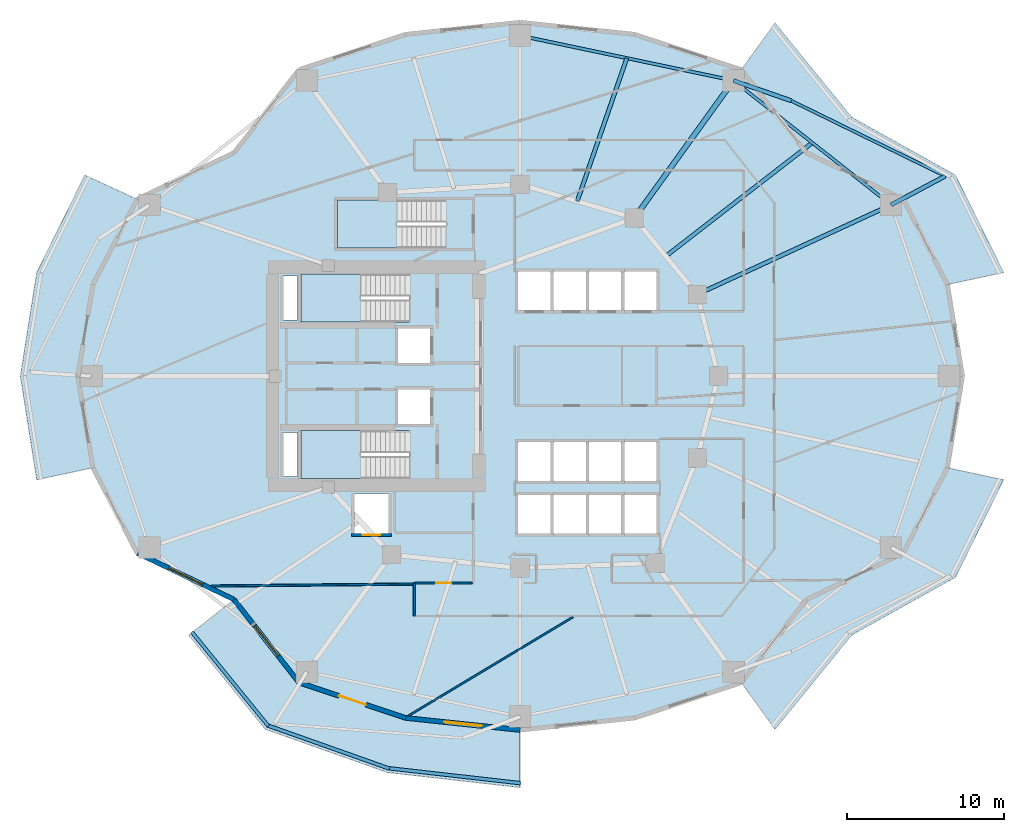
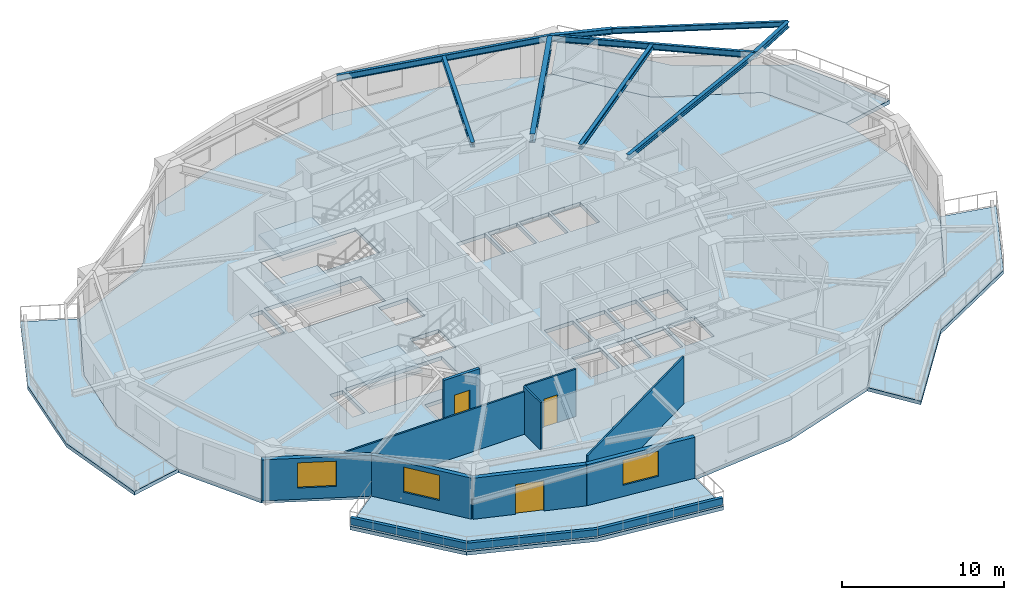
# One storey, part 2 of 14: 12 walls, 9 beams, 8 slabs, 3 doors, 3 windows, 6 openings, 3 elements without a shape of their own.
"""IFC4 building model written with IfcOpenShell, lengths in metres."""

import ifcopenshell
import ifcopenshell.guid

model = None  # the IFC model being written
_history = None  # IfcOwnerHistory: only IFC2X3 demands one
_inside = {}  # id of a spatial element -> (the spatial element, [elements in it])
_under = {}  # id of a project, library or spatial element -> (it, [spatial elements below it])
_declared = {}  # id of a project -> (the project, [libraries it declares])
_typed = {}  # id of a type object -> (the type object, [elements of that type])
_made_of = {}  # id of a material, layer set ... -> (it, [elements and type objects made of it])


def new_model(schema):
    """Start an empty IFC model of exactly this schema.

    Asked for "IFC4X3", IfcOpenShell would pick the latest addendum, in which some entities
    have other attributes; the version numbers below select the first issue.
    IFC2X3 requires an IfcOwnerHistory on every rooted entity: one is made here for all.
    """
    global model, _history
    if schema == "IFC4X3":
        model = ifcopenshell.file(schema_version=(4, 3, 0, 0))
    else:
        model = ifcopenshell.file(schema=schema)
    _inside.clear()
    _under.clear()
    _declared.clear()
    _typed.clear()
    _made_of.clear()
    _history = None
    if model.schema == "IFC2X3":
        org = make("IfcOrganization", Name="unknown")
        user = make(
            "IfcPersonAndOrganization",
            ThePerson=make("IfcPerson", FamilyName="unknown"),
            TheOrganization=org,
        )
        app = make(
            "IfcApplication",
            ApplicationDeveloper=org,
            Version="unknown",
            ApplicationFullName="unknown",
            ApplicationIdentifier="unknown",
        )
        _history = make(
            "IfcOwnerHistory",
            OwningUser=user,
            OwningApplication=app,
            ChangeAction="ADDED",
            CreationDate=0,
        )
    return model


def make(cls, **values):
    """One entity of the class cls with the attributes given. An attribute that is None is left unset."""
    return model.create_entity(
        cls, **{name: value for name, value in values.items() if value is not None}
    )


def rooted(cls, **values):
    """An entity with a GlobalId (a new one), such as an element, a storey or a relation."""
    return make(cls, GlobalId=ifcopenshell.guid.new(), OwnerHistory=_history, **values)


def si_unit(unit_type, name, prefix=None):
    """IfcSIUnit, for example si_unit("LENGTHUNIT", "METRE", prefix="MILLI")."""
    return make("IfcSIUnit", UnitType=unit_type, Prefix=prefix, Name=name)


def assignment(units):
    """IfcUnitAssignment: the units of a project."""
    return None if units is None else make("IfcUnitAssignment", Units=units)


def point(xyz):
    """IfcCartesianPoint."""
    return None if xyz is None else make("IfcCartesianPoint", Coordinates=xyz)


def direction(xyz):
    """IfcDirection."""
    return None if xyz is None else make("IfcDirection", DirectionRatios=xyz)


def frame(location, z_axis=None, x_axis=None):
    """IfcAxis2Placement3D, a coordinate frame: its origin and axes. An axis left out is left unset."""
    return make(
        "IfcAxis2Placement3D",
        Location=point(location),
        Axis=direction(z_axis),
        RefDirection=direction(x_axis),
    )


def frame_2d(location, x_axis=None):
    """IfcAxis2Placement2D, a coordinate frame in the plane: its origin and x axis."""
    return make(
        "IfcAxis2Placement2D", Location=point(location), RefDirection=direction(x_axis)
    )


def origin():
    """The frame at (0, 0, 0) with its axes left unset."""
    return frame((0.0, 0.0, 0.0))


def origin_2d():
    """The frame at (0, 0) in the plane with its x axis left unset."""
    return frame_2d((0.0, 0.0))


def place(relative_to, where):
    """IfcLocalPlacement: puts the frame where relative to a parent placement (None: the world)."""
    return make(
        "IfcLocalPlacement", PlacementRelTo=relative_to, RelativePlacement=where
    )


def context(
    kind, dimensions, precision=None, world=None, true_north=None, identifier=None
):
    """IfcGeometricRepresentationContext, for example the 3D "Model" context."""
    return make(
        "IfcGeometricRepresentationContext",
        ContextIdentifier=identifier,
        ContextType=kind,
        CoordinateSpaceDimension=dimensions,
        Precision=precision,
        WorldCoordinateSystem=world,
        TrueNorth=true_north,
    )


def subcontext(parent, identifier, kind, view, scale=None):
    """IfcGeometricRepresentationSubContext, for example "Body" below "Model"."""
    return make(
        "IfcGeometricRepresentationSubContext",
        ContextIdentifier=identifier,
        ContextType=kind,
        ParentContext=parent,
        TargetScale=scale,
        TargetView=view,
    )


def project(units=None, contexts=None):
    """IfcProject with its units and contexts."""
    return rooted(
        "IfcProject",
        Name="project",
        RepresentationContexts=contexts,
        UnitsInContext=assignment(units),
    )


def spatial(cls, under=None, at=None, **own):
    """A site, building, storey or space (cls), placed at a placement, below another one or the project."""
    s = rooted(cls, ObjectPlacement=at, **own)
    if under is not None:
        _under.setdefault(under.id(), (under, []))[1].append(s)
    return s


def polyline(points):
    """IfcPolyline through the points."""
    return make("IfcPolyline", Points=[point(p) for p in points])


def profile(cls, at=None, kind="AREA", **sizes):
    """A parametric profile (cls). Its sizes go by their IFC names, for example OverallWidth=200.0."""
    return make(cls, ProfileType=kind, Position=at, **sizes)


def rectangle(**sizes):
    """IfcRectangleProfileDef."""
    return profile("IfcRectangleProfileDef", **sizes)


def i_section(**sizes):
    """IfcIShapeProfileDef."""
    return profile("IfcIShapeProfileDef", **sizes)


def outline(outer, holes=None, kind="AREA"):
    """IfcArbitraryClosedProfileDef: a profile drawn as a closed curve; with holes, ...WithVoids."""
    if holes is None:
        return make("IfcArbitraryClosedProfileDef", ProfileType=kind, OuterCurve=outer)
    return make(
        "IfcArbitraryProfileDefWithVoids",
        ProfileType=kind,
        OuterCurve=outer,
        InnerCurves=holes,
    )


def extrude(swept, where, along, depth):
    """IfcExtrudedAreaSolid: the profile swept, set in the frame where, extruded along a direction by depth."""
    return make(
        "IfcExtrudedAreaSolid",
        SweptArea=swept,
        Position=where,
        ExtrudedDirection=direction(along),
        Depth=depth,
    )


def shape(context_of_items, identifier, shape_type, items):
    """IfcShapeRepresentation: the items that make up one representation, for example the "Body"."""
    return make(
        "IfcShapeRepresentation",
        ContextOfItems=context_of_items,
        RepresentationIdentifier=identifier,
        RepresentationType=shape_type,
        Items=items,
    )


def material(Name=None, Category=None):
    """IfcMaterial."""
    return make("IfcMaterial", Name=Name, Category=Category)


def layer(
    of_material, thickness, ventilated=None, Name=None, Category=None, Priority=None
):
    """IfcMaterialLayer: one layer of a wall or slab, of a material (None: an air gap)."""
    return make(
        "IfcMaterialLayer",
        Material=of_material,
        LayerThickness=thickness,
        IsVentilated=ventilated,
        Name=Name,
        Category=Category,
        Priority=Priority,
    )


def layer_set(layers, Name=None):
    """IfcMaterialLayerSet."""
    return make("IfcMaterialLayerSet", MaterialLayers=layers, LayerSetName=Name)


def material_profile(
    of_material, cross_section, Name=None, Category=None, Priority=None
):
    """IfcMaterialProfile: a cross section and its material."""
    return make(
        "IfcMaterialProfile",
        Name=Name,
        Material=of_material,
        Profile=cross_section,
        Priority=Priority,
        Category=Category,
    )


def profile_set(profiles, Name=None, composite=None):
    """IfcMaterialProfileSet."""
    return make(
        "IfcMaterialProfileSet",
        Name=Name,
        MaterialProfiles=profiles,
        CompositeProfile=composite,
    )


def made_of(thing, what):
    """Note that an element or type object is made of a material, layer set ...; save() writes the relation."""
    if what is not None:
        _made_of.setdefault(what.id(), (what, []))[1].append(thing)
    return thing


def type_object(cls, material=None, **own):
    """A type object (cls), such as IfcWallType, which elements share."""
    return made_of(rooted(cls, **own), material)


def element(
    cls,
    number,
    at=None,
    inside=None,
    cuts=None,
    type_object=None,
    material=None,
    context=None,
    identifier="Body",
    shape_type=None,
    held_by="IfcProductDefinitionShape",
    body=None,
    shapes=None,
    **own,
):
    """One element of the class cls, such as IfcWall. Its Tag is "e" and its number.

    at: its placement. inside: the storey or other place that contains it. cuts: it is an
    opening in that element (IfcRelVoidsElement). A single representation is given by context,
    identifier, shape_type and body (its items); several are given by shapes. held_by: the class
    of the entity that holds the representations. save() writes the other relations.
    """
    e = rooted(cls, Tag="e%d" % number, ObjectPlacement=at, **own)
    if body is not None:
        shapes = [shape(context, identifier, shape_type, body)]
    if shapes is not None:
        e.Representation = make(held_by, Representations=shapes)
    if inside is not None:
        _inside.setdefault(inside.id(), (inside, []))[1].append(e)
    if cuts is not None:
        rooted(
            "IfcRelVoidsElement", RelatingBuildingElement=cuts, RelatedOpeningElement=e
        )
    if type_object is not None:
        _typed.setdefault(type_object.id(), (type_object, []))[1].append(e)
    return made_of(e, material)


def fill(opening, filler):
    """IfcRelFillsElement: the door or window that sits in an opening."""
    return rooted(
        "IfcRelFillsElement",
        RelatingOpeningElement=opening,
        RelatedBuildingElement=filler,
    )


def aggregate(whole, parts):
    """IfcRelAggregates: a whole, such as a stair, and the parts it consists of."""
    return rooted("IfcRelAggregates", RelatingObject=whole, RelatedObjects=parts)


def save(model, path):
    """Write the relations noted so far, then the file.

    IfcRelAggregates (storeys below a building ...), IfcRelContainedInSpatialStructure (elements
    in a storey), IfcRelDefinesByType, IfcRelAssociatesMaterial and IfcRelDeclares: one each for
    every whole, place, type object, material and project.
    """
    for whole, parts in _under.values():
        aggregate(whole, parts)
    for where, things in _inside.values():
        rooted(
            "IfcRelContainedInSpatialStructure",
            RelatedElements=things,
            RelatingStructure=where,
        )
    for kind, things in _typed.values():
        rooted("IfcRelDefinesByType", RelatedObjects=things, RelatingType=kind)
    for what, things in _made_of.values():
        rooted("IfcRelAssociatesMaterial", RelatedObjects=things, RelatingMaterial=what)
    for by, libraries in _declared.values():
        rooted("IfcRelDeclares", RelatingContext=by, RelatedDefinitions=libraries)
    model.write(path)


model = new_model("IFC4")

# Units and contexts
model_context = context("Model", 3, precision=1e-05, world=origin(), true_north=direction((0.0, 1.0)))
body_context = subcontext(model_context, "Body", "Model", "MODEL_VIEW")
ifc_project = project(units=[si_unit("LENGTHUNIT", "METRE"), si_unit("AREAUNIT", "SQUARE_METRE"), si_unit("VOLUMEUNIT", "CUBIC_METRE"), si_unit("PLANEANGLEUNIT", "RADIAN"), si_unit("MASSUNIT", "GRAM", prefix="KILO")], contexts=[model_context])

# Site, building, storey
site_placement = place(None, origin())
site = spatial("IfcSite", under=ifc_project, at=site_placement, CompositionType="ELEMENT")
building_placement = place(site_placement, origin())
building = spatial("IfcBuilding", under=site, at=building_placement, Name="Kolvaren Gate Tower and Convention Centre", CompositionType="ELEMENT")
storey_placement = place(building_placement, frame((0.0, 0.0, 41.89990234375)))
storey = spatial("IfcBuildingStorey", under=building, at=storey_placement, Name="L09", CompositionType="ELEMENT", Elevation=41.89990234375)

# Beams
ifc_material_1 = material(Name="Structural steel ASTM A992 Grade 345 MPa", Category="steel")
ifc_material_profile_1 = material_profile(ifc_material_1, i_section(OverallWidth=0.260009765625, OverallDepth=0.419921875, WebThickness=0.013427734375, FlangeThickness=0.0224609375, at=origin_2d()), Name="W410X132")
ifc_profile_set_1 = profile_set([ifc_material_profile_1], Name="Structural steel ASTM A992 Grade 345 MPa")
beam_type_1 = type_object("IfcBeamType", Name="STR-BM-W410X132", PredefinedType="BEAM", material=ifc_profile_set_1)
beam_1_placement = place(storey_placement, frame((53.710205078125, 37.8935546875, 3.360595703125), z_axis=(0.882875702385, 0.469606744136, 0.0), x_axis=(-0.469606744136, 0.882875702385, 0.0)))
element("IfcBeam", 1, at=beam_1_placement, inside=storey, type_object=beam_type_1, Name="Tower L10 Planted Balcony Outrigger Cantilever BC-1A", PredefinedType="BEAM", context=body_context, shape_type="SweptSolid", body=[
    extrude(i_section(OverallWidth=0.260009765625, OverallDepth=0.419921875, WebThickness=0.013427734375, FlangeThickness=0.0224609375, at=origin_2d()), origin(), (0.0, 0.0, 1.0), 3.900146484375),
])
beam_2_placement = place(storey_placement, frame((43.690185546875, 45.79638671875, 3.360595703125), z_axis=(0.943988090262, -0.329979522765, 0.0), x_axis=(0.329979522765, 0.943988090262, 0.0)))
element("IfcBeam", 2, at=beam_2_placement, inside=storey, type_object=beam_type_1, Name="Tower L10 Planted Balcony Outrigger Cantilever BC-1B", PredefinedType="BEAM", context=body_context, shape_type="SweptSolid", body=[
    extrude(i_section(OverallWidth=0.260009765625, OverallDepth=0.419921875, WebThickness=0.013427734375, FlangeThickness=0.0224609375, at=origin_2d()), origin(), (0.0, 0.0, 1.0), 3.89990234375),
])
ifc_material_profile_2 = material_profile(ifc_material_1, i_section(OverallWidth=0.327880859375, OverallDepth=0.6279296875, WebThickness=0.0166015625, FlangeThickness=0.027587890625, at=origin_2d()), Name="W610X217")
ifc_profile_set_2 = profile_set([ifc_material_profile_2], Name="Structural steel ASTM A992 Grade 345 MPa")
beam_type_2 = type_object("IfcBeamType", Name="STR-BM-W610X217", PredefinedType="BEAM", material=ifc_profile_set_2)
beam_3_placement = place(storey_placement, frame((37.381591796875, 37.054931640625, 3.256103515625), z_axis=(0.585205244783, 0.81088520857, 0.0), x_axis=(-0.81088520857, 0.585205244783, 0.0)))
element("IfcBeam", 3, at=beam_3_placement, inside=storey, type_object=beam_type_2, Name="Tower L09 Radial Floor Girder RB-03", PredefinedType="BEAM", context=body_context, shape_type="SweptSolid", body=[
    extrude(i_section(OverallWidth=0.327880859375, OverallDepth=0.6279296875, WebThickness=0.0166015625, FlangeThickness=0.027587890625, at=origin_2d()), origin(), (0.0, 0.0, 1.0), 10.780029296875),
])
ifc_material_profile_3 = material_profile(ifc_material_1, i_section(OverallWidth=0.2548828125, OverallDepth=0.35693359375, WebThickness=0.010498046875, FlangeThickness=0.018310546875, at=origin_2d()), Name="W360X101")
ifc_profile_set_3 = profile_set([ifc_material_profile_3], Name="Structural steel ASTM A992 Grade 345 MPa")
beam_type_3 = type_object("IfcBeamType", Name="STR-JS-W360X101", PredefinedType="JOIST", material=ifc_profile_set_3)
beam_4_placement = place(storey_placement, frame((41.382080078125, 32.199462890625, 3.3916015625), z_axis=(0.907842006347, 0.419312403241, 0.0), x_axis=(-0.419312403241, 0.907842006347, 0.0)))
element("IfcBeam", 4, at=beam_4_placement, inside=storey, type_object=beam_type_3, Name="Tower L09 Radial Floor Girder RB-02", PredefinedType="JOIST", context=body_context, shape_type="SweptSolid", body=[
    extrude(i_section(OverallWidth=0.2548828125, OverallDepth=0.35693359375, WebThickness=0.010498046875, FlangeThickness=0.018310546875, at=origin_2d()), origin(), (0.0, 0.0, 1.0), 13.57958984375),
])
beam_5_placement = place(storey_placement, frame((39.3818359375, 34.627197265625, 3.3916015625), z_axis=(0.790577493994, 0.612362005671, 0.0), x_axis=(-0.612362005671, 0.790577493994, 0.0)))
element("IfcBeam", 5, at=beam_5_placement, inside=storey, type_object=beam_type_3, Name="Tower L09 Secondary Composite Floor Joist J-02.1", PredefinedType="JOIST", context=body_context, shape_type="SweptSolid", body=[
    extrude(i_section(OverallWidth=0.2548828125, OverallDepth=0.35693359375, WebThickness=0.010498046875, FlangeThickness=0.018310546875, at=origin_2d()), origin(), (0.0, 0.0, 1.0), 11.786865234375),
])
beam_6_placement = place(storey_placement, frame((33.75341796875, 38.12744140625, 3.3916015625), z_axis=(0.327647050942, 0.944800195813, 0.0), x_axis=(-0.944800195813, 0.327647050942, 0.0)))
element("IfcBeam", 6, at=beam_6_placement, inside=storey, type_object=beam_type_3, Name="Tower L09 Secondary Composite Floor Joist J-03.1", PredefinedType="JOIST", context=body_context, shape_type="SweptSolid", body=[
    extrude(i_section(OverallWidth=0.2548828125, OverallDepth=0.35693359375, WebThickness=0.010498046875, FlangeThickness=0.018310546875, at=origin_2d()), origin(), (0.0, 0.0, 1.0), 9.627197265625),
])
ifc_material_profile_4 = material_profile(ifc_material_1, i_section(OverallWidth=0.180908203125, OverallDepth=0.4169921875, WebThickness=0.010986328125, FlangeThickness=0.018310546875, at=origin_2d()), Name="W410X85")
ifc_profile_set_4 = profile_set([ifc_material_profile_4], Name="Structural steel ASTM A992 Grade 345 MPa")
beam_type_4 = type_object("IfcBeamType", Name="STR-SP-W410X85", PredefinedType="SPANDREL", material=ifc_profile_set_4)
beam_7_placement = place(storey_placement, frame((57.153564453125, 39.72509765625, 3.362060546875), z_axis=(-0.898307480686, 0.43936735216, 0.0), x_axis=(-0.43936735216, -0.898307480686, 0.0)))
element("IfcBeam", 7, at=beam_7_placement, inside=storey, type_object=beam_type_4, Name="Tower L10 Planted Balcony Header Tie Beam BT-1", PredefinedType="SPANDREL", context=body_context, shape_type="SweptSolid", body=[
    extrude(i_section(OverallWidth=0.180908203125, OverallDepth=0.4169921875, WebThickness=0.010986328125, FlangeThickness=0.018310546875, at=origin_2d()), origin(), (0.0, 0.0, 1.0), 10.889404296875),
])
ifc_material_profile_5 = material_profile(ifc_material_1, i_section(OverallWidth=0.194091796875, OverallDepth=0.468994140625, WebThickness=0.0126953125, FlangeThickness=0.0205078125, at=origin_2d()), Name="W460X106")
ifc_profile_set_5 = profile_set([ifc_material_profile_5], Name="Structural steel ASTM A992 Grade 345 MPa")
beam_type_5 = type_object("IfcBeamType", Name="STR-SP-W460X106", PredefinedType="SPANDREL", material=ifc_profile_set_5)
beam_8_placement = place(storey_placement, frame((53.710205078125, 37.8935546875, 3.335693359375), z_axis=(-0.785176498861, 0.619272044933, 0.0), x_axis=(-0.619272044933, -0.785176498861, 0.0)))
element("IfcBeam", 8, at=beam_8_placement, inside=storey, type_object=beam_type_5, Name="Tower L09 Perimeter Spandrel Beam SP-02", PredefinedType="SPANDREL", context=body_context, shape_type="SweptSolid", body=[
    extrude(i_section(OverallWidth=0.194091796875, OverallDepth=0.468994140625, WebThickness=0.0126953125, FlangeThickness=0.0205078125, at=origin_2d()), origin(), (0.0, 0.0, 1.0), 12.761474609375),
])
beam_9_placement = place(storey_placement, frame((43.690185546875, 45.79638671875, 3.335693359375), z_axis=(-0.978583407863, 0.205850707685, 0.0), x_axis=(-0.205850707685, -0.978583407863, 0.0)))
element("IfcBeam", 9, at=beam_9_placement, inside=storey, type_object=beam_type_5, Name="Tower L09 Perimeter Spandrel Beam SP-03", PredefinedType="SPANDREL", context=body_context, shape_type="SweptSolid", body=[
    extrude(i_section(OverallWidth=0.194091796875, OverallDepth=0.468994140625, WebThickness=0.0126953125, FlangeThickness=0.0205078125, at=origin_2d()), origin(), (0.0, 0.0, 1.0), 13.862060546875),
])

# Slabs
ifc_material_2 = material(Name="Concrete C50/60", Category="concrete")
ifc_layer_1 = layer(ifc_material_2, 0.27001953125)
ifc_layer_set_1 = layer_set([ifc_layer_1], Name="Concrete C50/60")
slab_type_1 = type_object("IfcSlabType", Name="STR-SL-BALC-270", PredefinedType="FLOOR", material=ifc_layer_set_1)
slab_1_placement = place(storey_placement, frame((0.0, 0.0, -0.27001953125)))
element("IfcSlab", 10, at=slab_1_placement, inside=storey, type_object=slab_type_1, Name="Tower L09 Planted Balcony Terrace Slab 1 (East)", PredefinedType="FLOOR", context=body_context, shape_type="SweptSolid", body=[
    extrude(outline(polyline([(57.291748046875, 32.823486328125), (54.48193359375, 38.25), (48.315185546875, 41.212890625), (44.1875, 46.485595703125), (46.329345703125, 49.453369140625), (51.19921875, 43.46630859375), (57.8046875, 39.78466796875), (60.870361328125, 33.590576171875), (57.291748046875, 32.823486328125)])), origin(), (0.0, 0.0, 1.0), 0.27001953125),
])
slab_2_placement = place(storey_placement, frame((0.0, 0.0, -0.27001953125)))
element("IfcSlab", 11, at=slab_2_placement, inside=storey, type_object=slab_type_1, Name="Tower L09 Planted Balcony Terrace Slab 2 (West)", PredefinedType="FLOOR", context=body_context, shape_type="SweptSolid", body=[
    extrude(outline(polyline([(5.76806640625, 38.25), (2.958251953125, 32.823486328125), (2.0, 27.0), (2.958251953125, 21.176513671875), (-0.620361328125, 20.409423828125), (-1.659912109375, 27.0), (-0.620361328125, 33.590576171875), (2.4453125, 39.78466796875), (5.76806640625, 38.25)])), origin(), (0.0, 0.0, 1.0), 0.27001953125),
])
slab_3_placement = place(storey_placement, frame((0.0, 0.0, -0.27001953125)))
element("IfcSlab", 12, at=slab_3_placement, inside=storey, type_object=slab_type_1, Name="Tower L09 Planted Balcony Terrace Slab 3 (South)", PredefinedType="FLOOR", context=body_context, shape_type="SweptSolid", body=[
    extrude(outline(polyline([(11.934814453125, 12.787109375), (16.0625, 7.514404296875), (22.845703125, 5.2666015625), (30.125, 4.5), (30.125, 0.840087890625), (21.683349609375, 1.796142578125), (13.920654296875, 4.546630859375), (9.05078125, 10.53369140625), (11.934814453125, 12.787109375)])), origin(), (0.0, 0.0, 1.0), 0.27001953125),
])
slab_4_placement = place(storey_placement, frame((0.0, 0.0, -0.27001953125)))
element("IfcSlab", 13, at=slab_4_placement, inside=storey, type_object=slab_type_1, Name="Tower L09 Planted Balcony Terrace Slab 4 (East)", PredefinedType="FLOOR", context=body_context, shape_type="SweptSolid", body=[
    extrude(outline(polyline([(44.1875, 7.514404296875), (48.315185546875, 12.787109375), (54.48193359375, 15.75), (57.291748046875, 21.176513671875), (60.870361328125, 20.409423828125), (57.8046875, 14.21533203125), (51.19921875, 10.53369140625), (46.329345703125, 4.546630859375), (44.1875, 7.514404296875)])), origin(), (0.0, 0.0, 1.0), 0.27001953125),
])
ifc_layer_2 = layer(ifc_material_2, 0.280029296875)
ifc_layer_set_2 = layer_set([ifc_layer_2], Name="Concrete C50/60")
slab_type_2 = type_object("IfcSlabType", Name="STR-SL-FLR-280", PredefinedType="FLOOR", material=ifc_layer_set_2)
slab_5_placement = place(storey_placement, frame((0.0, 0.0, -0.27978515625)))
element("IfcSlab", 14, at=slab_5_placement, inside=storey, type_object=slab_type_2, Name="Tower L09 Structural Floor Slab", PredefinedType="FLOOR", context=body_context, shape_type="SweptSolid", body=[
    extrude(outline(polyline([(58.25, 27.0), (57.291748046875, 32.823486328125), (54.48193359375, 38.25), (48.315185546875, 41.212890625), (44.1875, 46.485595703125), (37.404296875, 48.7333984375), (30.125, 49.5), (22.845703125, 48.7333984375), (16.0625, 46.485595703125), (11.934814453125, 41.212890625), (5.76806640625, 38.25), (2.958251953125, 32.823486328125), (2.0, 27.0), (2.958251953125, 21.176513671875), (5.76806640625, 15.75), (11.934814453125, 12.787109375), (16.0625, 7.514404296875), (22.845703125, 5.2666015625), (30.125, 4.5), (37.404296875, 5.2666015625), (44.1875, 7.514404296875), (48.315185546875, 12.787109375), (54.48193359375, 15.75), (57.291748046875, 21.176513671875), (58.25, 27.0)]), holes=[polyline([(36.75, 33.64990234375), (38.800048828125, 33.64990234375), (38.800048828125, 31.199951171875), (36.75, 31.199951171875), (36.75, 33.64990234375)]), polyline([(36.75, 20.35009765625), (36.75, 22.800048828125), (38.800048828125, 22.800048828125), (38.800048828125, 20.35009765625), (36.75, 20.35009765625)]), polyline([(36.75, 17.0), (36.75, 19.449951171875), (38.800048828125, 19.449951171875), (38.800048828125, 17.0), (36.75, 17.0)]), polyline([(34.5, 33.64990234375), (36.550048828125, 33.64990234375), (36.550048828125, 31.199951171875), (34.5, 31.199951171875), (34.5, 33.64990234375)]), polyline([(34.5, 22.800048828125), (36.550048828125, 22.800048828125), (36.550048828125, 20.35009765625), (34.5, 20.35009765625), (34.5, 22.800048828125)]), polyline([(34.5, 17.0), (34.5, 19.449951171875), (36.550048828125, 19.449951171875), (36.550048828125, 17.0), (34.5, 17.0)]), polyline([(32.25, 31.199951171875), (32.25, 33.64990234375), (34.300048828125, 33.64990234375), (34.300048828125, 31.199951171875), (32.25, 31.199951171875)]), polyline([(32.25, 22.800048828125), (34.300048828125, 22.800048828125), (34.300048828125, 20.35009765625), (32.25, 20.35009765625), (32.25, 22.800048828125)]), polyline([(32.25, 17.0), (32.25, 19.449951171875), (34.300048828125, 19.449951171875), (34.300048828125, 17.0), (32.25, 17.0)]), polyline([(30.0, 31.199951171875), (30.0, 33.64990234375), (32.050048828125, 33.64990234375), (32.050048828125, 31.199951171875), (30.0, 31.199951171875)]), polyline([(30.0, 20.35009765625), (30.0, 22.800048828125), (32.050048828125, 22.800048828125), (32.050048828125, 20.35009765625), (30.0, 20.35009765625)]), polyline([(30.0, 17.0), (30.0, 19.449951171875), (32.050048828125, 19.449951171875), (32.050048828125, 17.0), (30.0, 17.0)]), polyline([(25.39990234375, 35.159912109375), (18.5, 35.159912109375), (18.5, 38.199951171875), (25.39990234375, 38.199951171875), (25.39990234375, 35.159912109375)]), polyline([(22.35009765625, 27.840087890625), (22.35009765625, 30.0400390625), (24.39990234375, 30.0400390625), (24.39990234375, 27.840087890625), (22.35009765625, 27.840087890625)]), polyline([(22.35009765625, 23.9599609375), (22.35009765625, 26.159912109375), (24.39990234375, 26.159912109375), (24.39990234375, 23.9599609375), (22.35009765625, 23.9599609375)]), polyline([(23.10009765625, 30.4599609375), (16.199951171875, 30.4599609375), (16.199951171875, 33.5), (23.10009765625, 33.5), (23.10009765625, 30.4599609375)]), polyline([(23.10009765625, 20.5), (16.199951171875, 20.5), (16.199951171875, 23.5400390625), (23.10009765625, 23.5400390625), (23.10009765625, 20.5)]), polyline([(19.60009765625, 17.0), (19.60009765625, 19.550048828125), (21.75, 19.550048828125), (21.75, 17.0), (19.60009765625, 17.0)]), polyline([(15.080078125, 23.419921875), (15.969970703125, 23.419921875), (15.969970703125, 20.6298828125), (15.080078125, 20.6298828125), (15.080078125, 23.419921875)]), polyline([(15.080078125, 30.580078125), (15.080078125, 33.3701171875), (15.969970703125, 33.3701171875), (15.969970703125, 30.580078125), (15.080078125, 30.580078125)])]), origin(), (0.0, 0.0, 1.0), 0.27978515625),
])

# Stair, slab
stair_type = type_object("IfcStairType", Name="STR-STAIR-CORE", PredefinedType="HALF_TURN_STAIR", material=ifc_material_2)
stair_1_placement = place(storey_placement, origin())
stair_1 = element("IfcStair", 15, at=stair_1_placement, inside=storey, type_object=stair_type, Name="L09 Tower North Exit Stair ST-T1", PredefinedType="HALF_TURN_STAIR")
ifc_layer_3 = layer(ifc_material_2, 0.199951171875)
ifc_layer_set_3 = layer_set([ifc_layer_3], Name="Concrete C50/60")
slab_type_3 = type_object("IfcSlabType", Name="STR-SL-LAND-200", PredefinedType="LANDING", material=ifc_layer_set_3)
slab_6_placement = place(storey_placement, frame((0.0, 0.0, 1.72509765625)))
slab_6 = element("IfcSlab", 16, at=slab_6_placement, type_object=slab_type_3, Name="ST-T1 landing 1", PredefinedType="LANDING", context=body_context, shape_type="SweptSolid", body=[
    extrude(outline(polyline([(20.0, 33.5), (16.199951171875, 33.5), (16.199951171875, 30.4599609375), (20.0, 30.4599609375), (20.0, 33.5)])), origin(), (0.0, 0.0, 1.0), 0.199951171875),
])
aggregate(stair_1, [slab_6])

stair_2_placement = place(storey_placement, origin())
stair_2 = element("IfcStair", 17, at=stair_2_placement, inside=storey, type_object=stair_type, Name="L09 Tower South Exit Stair ST-T2", PredefinedType="HALF_TURN_STAIR")
slab_7_placement = place(storey_placement, frame((0.0, 0.0, 1.72509765625)))
slab_7 = element("IfcSlab", 18, at=slab_7_placement, type_object=slab_type_3, Name="ST-T2 landing 1", PredefinedType="LANDING", context=body_context, shape_type="SweptSolid", body=[
    extrude(outline(polyline([(20.0, 23.5400390625), (16.199951171875, 23.5400390625), (16.199951171875, 20.5), (20.0, 20.5), (20.0, 23.5400390625)])), origin(), (0.0, 0.0, 1.0), 0.199951171875),
])
aggregate(stair_2, [slab_7])

stair_3_placement = place(storey_placement, origin())
stair_3 = element("IfcStair", 19, at=stair_3_placement, inside=storey, type_object=stair_type, Name="L09 Tower Mid-Zone Exit Stair ST-T3", PredefinedType="HALF_TURN_STAIR")
slab_8_placement = place(storey_placement, frame((0.0, 0.0, 1.72509765625)))
slab_8 = element("IfcSlab", 20, at=slab_8_placement, type_object=slab_type_3, Name="ST-T3 landing 1", PredefinedType="LANDING", context=body_context, shape_type="SweptSolid", body=[
    extrude(outline(polyline([(22.300048828125, 38.199951171875), (18.5, 38.199951171875), (18.5, 35.159912109375), (22.300048828125, 35.159912109375), (22.300048828125, 38.199951171875)])), origin(), (0.0, 0.0, 1.0), 0.199951171875),
])
aggregate(stair_3, [slab_8])

# Wall
ifc_material_3 = material(Name="Fire-Rated Acoustic Gypsum Stud Partition", Category="gypsum")
ifc_layer_4 = layer(ifc_material_3, 0.1201171875)
ifc_layer_set_4 = layer_set([ifc_layer_4], Name="Fire-Rated Acoustic Gypsum Stud Partition")
wall_type_1 = type_object("IfcWallType", Name="ARCH-WL-PART-120", PredefinedType="PARTITIONING", material=ifc_layer_set_4)
wall_1_placement = place(storey_placement, frame((23.39990234375, 11.75, 0.0), z_axis=(0.0, 0.0, 1.0), x_axis=(0.0, 1.0, 0.0)))
element("IfcWall", 21, at=wall_1_placement, inside=storey, type_object=wall_type_1, Name="Interior Partition WL-L09-INT-026", PredefinedType="PARTITIONING", context=body_context, shape_type="SweptSolid", body=[
    extrude(rectangle(XDim=2.10009765625, YDim=0.1201171875, at=frame_2d((1.050048828125, 0.0))), origin(), (0.0, 0.0, 1.0), 3.570068359375),
])

# Wall, opening, door
wall_2_placement = place(storey_placement, frame((23.4619140625, 13.85009765625, 0.0), z_axis=(0.0, 0.0, 1.0), x_axis=(1.0, 0.0, 0.0)))
wall_2 = element("IfcWall", 22, at=wall_2_placement, inside=storey, type_object=wall_type_1, Name="Interior Partition WL-L09-INT-033", PredefinedType="PARTITIONING", context=body_context, shape_type="SweptSolid", body=[
    extrude(rectangle(XDim=3.611083984375, YDim=0.1201171875, at=frame_2d((1.8056640625, 0.0))), origin(), (0.0, 0.0, 1.0), 3.570068359375),
])
opening_1_placement = place(wall_2_placement, frame((1.33056640625, 0.0, 0.0)))
opening_1 = element("IfcOpeningElement", 23, at=opening_1_placement, cuts=wall_2, Name="Opening DR-01", PredefinedType="OPENING", context=body_context, shape_type="SweptSolid", body=[
    extrude(rectangle(XDim=0.949951171875, YDim=2.10009765625, at=frame_2d((0.47509765625, 1.050048828125))), frame((0.0, 0.070068359375, 0.0), z_axis=(0.0, -1.0, 0.0), x_axis=(1.0, 0.0, 0.0)), (0.0, 0.0, 1.0), 0.14013671875),
])
ifc_material_4 = material(Name="Painted Architectural Steelwork ASTM A500 Grade C 345 MPa", Category="steel")
door_type_1 = type_object("IfcDoorType", Name="ARCH-DR-RISER-950", OperationType="SINGLE_SWING_RIGHT", PredefinedType="DOOR", material=ifc_material_4)
door_1_placement = place(opening_1_placement, origin())
door_1 = element("IfcDoor", 24, at=door_1_placement, inside=storey, type_object=door_type_1, Name="Conference and Training Seminar Room Door", OperationType="SINGLE_SWING_RIGHT", OverallHeight=2.10009765625, OverallWidth=0.949951171875, PredefinedType="DOOR", context=body_context, shape_type="SweptSolid", body=[
    extrude(rectangle(XDim=0.949951171875, YDim=2.10009765625, at=frame_2d((0.47509765625, 1.050048828125))), frame((0.0, 0.02490234375, 0.0), z_axis=(0.0, -1.0, 0.0), x_axis=(1.0, 0.0, 0.0)), (0.0, 0.0, 1.0), 0.050048828125),
])
fill(opening_1, door_1)

# Walls
wall_3_placement = place(storey_placement, frame((10.478271484375, 13.655517578125, 0.0), z_axis=(0.0, 0.0, 1.0), x_axis=(0.999952019801, 0.009795820292, 0.0)))
element("IfcWall", 25, at=wall_3_placement, inside=storey, type_object=wall_type_1, Name="Interior Partition WL-L09-INT-049", PredefinedType="PARTITIONING", context=body_context, shape_type="SweptSolid", body=[
    extrude(rectangle(XDim=12.8603515625, YDim=0.1201171875, at=frame_2d((6.43017578125, 0.0))), origin(), (0.0, 0.0, 1.0), 3.205078125),
])
wall_4_placement = place(storey_placement, frame((23.014892578125, 5.401611328125, 0.0), z_axis=(0.0, 0.0, 1.0), x_axis=(0.85756694703, 0.514372366444, 0.0)))
element("IfcWall", 26, at=wall_4_placement, inside=storey, type_object=wall_type_1, Name="Interior Partition WL-L09-INT-051", PredefinedType="PARTITIONING", context=body_context, shape_type="SweptSolid", body=[
    extrude(rectangle(XDim=12.221435546875, YDim=0.1201171875, at=frame_2d((6.11083984375, 0.0))), origin(), (0.0, 0.0, 1.0), 3.570068359375),
])
ifc_material_5 = material(Name="Piedmont Cream Honed Limestone Cladding", Category="masonry")
ifc_layer_5 = layer(ifc_material_5, 0.219970703125)
ifc_layer_set_5 = layer_set([ifc_layer_5], Name="Piedmont Cream Honed Limestone Cladding")
wall_type_2 = type_object("IfcWallType", Name="ARCH-WL-PLANTER-220", PredefinedType="PARAPET", material=ifc_layer_set_5)
wall_5_placement = place(storey_placement, frame((9.244384765625, 10.736083984375, 0.0), z_axis=(0.0, 0.0, 1.0), x_axis=(0.630997450658, -0.775784903993, 0.0)))
element("IfcWall", 27, at=wall_5_placement, inside=storey, type_object=wall_type_2, Name="Vertical-Forest Balcony Stone Planter Kerb PK-L09-3.1", PredefinedType="PARAPET", context=body_context, shape_type="SweptSolid", body=[
    extrude(rectangle(XDim=7.7177734375, YDim=0.219970703125, at=frame_2d((3.85888671875, 0.0))), origin(), (0.0, 0.0, 1.0), 0.52001953125),
])
wall_6_placement = place(storey_placement, frame((14.04931640625, 4.79541015625, 0.0), z_axis=(0.0, 0.0, 1.0), x_axis=(0.942581348797, -0.333976647237, 0.0)))
element("IfcWall", 28, at=wall_6_placement, inside=storey, type_object=wall_type_2, Name="Vertical-Forest Balcony Stone Planter Kerb PK-L09-3.2", PredefinedType="PARAPET", context=body_context, shape_type="SweptSolid", body=[
    extrude(rectangle(XDim=8.235595703125, YDim=0.219970703125, at=frame_2d((4.11767578125, 0.0))), origin(), (0.0, 0.0, 1.0), 0.52001953125),
])
wall_7_placement = place(storey_placement, frame((21.728759765625, 2.072509765625, 0.0), z_axis=(0.0, 0.0, 1.0), x_axis=(0.993644541351, -0.112563428535, 0.0)))
element("IfcWall", 29, at=wall_7_placement, inside=storey, type_object=wall_type_2, Name="Vertical-Forest Balcony Stone Planter Kerb PK-L09-3.3", PredefinedType="PARAPET", context=body_context, shape_type="SweptSolid", body=[
    extrude(rectangle(XDim=8.49560546875, YDim=0.219970703125, at=frame_2d((4.247802734375, 0.0))), origin(), (0.0, 0.0, 1.0), 0.52001953125),
])

# Wall, opening, door
ifc_material_6 = material(Name="Autoclaved Aerated Masonry Blockwork Class 4 (4.0 MPa)", Category="masonry")
ifc_layer_6 = layer(ifc_material_6, 0.199951171875)
ifc_layer_set_6 = layer_set([ifc_layer_6], Name="Autoclaved Aerated Masonry Blockwork Class 4 (4.0 MPa)")
wall_type_3 = type_object("IfcWallType", Name="ARCH-WL-SHAFT-200", PredefinedType="SOLIDWALL", material=ifc_layer_set_6)
wall_8_placement = place(storey_placement, frame((19.39990234375, 16.89990234375, 0.0), z_axis=(0.0, 0.0, 1.0), x_axis=(1.0, 0.0, 0.0)))
wall_8 = element("IfcWall", 30, at=wall_8_placement, inside=storey, type_object=wall_type_3, Name="Elevator SV-01 L09 Fire Shaft Wall S", PredefinedType="SOLIDWALL", context=body_context, shape_type="SweptSolid", body=[
    extrude(rectangle(XDim=2.550048828125, YDim=0.199951171875, at=frame_2d((1.27490234375, 0.0))), origin(), (0.0, 0.0, 1.0), 3.570068359375),
])
opening_2_placement = place(wall_8_placement, frame((0.72509765625, 0.0, 0.0)))
opening_2 = element("IfcOpeningElement", 31, at=opening_2_placement, cuts=wall_8, Name="Opening LD", PredefinedType="OPENING", context=body_context, shape_type="SweptSolid", body=[
    extrude(rectangle(XDim=1.10009765625, YDim=2.199951171875, at=frame_2d((0.550048828125, 1.10009765625))), frame((0.0, 0.10986328125, 0.0), z_axis=(0.0, -1.0, 0.0), x_axis=(1.0, 0.0, 0.0)), (0.0, 0.0, 1.0), 0.219970703125),
])
ifc_material_7 = material(Name="Brushed Stainless Steel Grade 316L", Category="steel")
door_type_2 = type_object("IfcDoorType", Name="ARCH-DR-LIFT-1100", OperationType="SLIDING_TO_LEFT", PredefinedType="DOOR", material=ifc_material_7)
door_2_placement = place(opening_2_placement, origin())
door_2 = element("IfcDoor", 32, at=door_2_placement, inside=storey, type_object=door_type_2, Name="Elevator SV-01 L09 Sliding Landing Door", OperationType="SLIDING_TO_LEFT", OverallHeight=2.199951171875, OverallWidth=1.10009765625, PredefinedType="DOOR", context=body_context, shape_type="SweptSolid", body=[
    extrude(rectangle(XDim=1.10009765625, YDim=2.199951171875, at=frame_2d((0.550048828125, 1.10009765625))), frame((0.0, 0.02490234375, 0.0), z_axis=(0.0, -1.0, 0.0), x_axis=(1.0, 0.0, 0.0)), (0.0, 0.0, 1.0), 0.050048828125),
])
fill(opening_2, door_2)

# Wall, opening, window
ifc_layer_7 = layer(ifc_material_5, 0.300048828125)
ifc_layer_set_7 = layer_set([ifc_layer_7], Name="Piedmont Cream Honed Limestone Cladding")
wall_type_4 = type_object("IfcWallType", Name="ARCH-WL-STONE-300", PredefinedType="SOLIDWALL", material=ifc_layer_set_7)
wall_9_placement = place(storey_placement, frame((5.76806640625, 15.75, 0.0), z_axis=(0.0, 0.0, 1.0), x_axis=(0.901360393999, -0.433069786673, 0.0)))
wall_9 = element("IfcWall", 33, at=wall_9_placement, inside=storey, type_object=wall_type_4, Name="Tower L09 Honed Stone Spandrel Wall EW-14", PredefinedType="SOLIDWALL", context=body_context, shape_type="SweptSolid", body=[
    extrude(rectangle(XDim=6.841552734375, YDim=0.300048828125, at=frame_2d((3.4208984375, 0.0))), origin(), (0.0, 0.0, 1.0), 3.093017578125),
])
opening_3_placement = place(wall_9_placement, frame((2.220947265625, 0.0, 0.85009765625)))
opening_3 = element("IfcOpeningElement", 34, at=opening_3_placement, cuts=wall_9, Name="Opening W-01", PredefinedType="OPENING", context=body_context, shape_type="SweptSolid", body=[
    extrude(rectangle(XDim=2.39990234375, YDim=1.89990234375, at=frame_2d((1.199951171875, 0.949951171875))), frame((0.0, 0.159912109375, 0.0), z_axis=(0.0, -1.0, 0.0), x_axis=(1.0, 0.0, 0.0)), (0.0, 0.0, 1.0), 0.320068359375),
])
ifc_material_8 = material(Name="Low-E Triple Insulated Glazing Unit 44 mm", Category="glass")
window_type = type_object("IfcWindowType", Name="ARCH-WN-OFF-2400", PartitioningType="SINGLE_PANEL", PredefinedType="WINDOW", material=ifc_material_8)
window_1_placement = place(opening_3_placement, origin())
window_1 = element("IfcWindow", 35, at=window_1_placement, inside=storey, type_object=window_type, Name="Tower L09 Punched Stone Facade Window W-14", OverallHeight=1.89990234375, OverallWidth=2.39990234375, PartitioningType="SINGLE_PANEL", PredefinedType="WINDOW", context=body_context, shape_type="SweptSolid", body=[
    extrude(rectangle(XDim=2.39990234375, YDim=1.89990234375, at=frame_2d((1.199951171875, 0.949951171875))), frame((0.0, 0.030029296875, 0.0), z_axis=(0.0, -1.0, 0.0), x_axis=(1.0, 0.0, 0.0)), (0.0, 0.0, 1.0), 0.06005859375),
])
fill(opening_3, window_1)

wall_10_placement = place(storey_placement, frame((11.934814453125, 12.787109375, 0.0), z_axis=(0.0, 0.0, 1.0), x_axis=(0.616421309777, -0.787416515482, 0.0)))
wall_10 = element("IfcWall", 36, at=wall_10_placement, inside=storey, type_object=wall_type_4, Name="Tower L09 Honed Stone Spandrel Wall EW-15", PredefinedType="SOLIDWALL", context=body_context, shape_type="SweptSolid", body=[
    extrude(rectangle(XDim=6.6962890625, YDim=0.300048828125, at=frame_2d((3.34814453125, 0.0))), origin(), (0.0, 0.0, 1.0), 3.093017578125),
])
opening_4_placement = place(wall_10_placement, frame((2.14794921875, 0.0, 0.85009765625)))
opening_4 = element("IfcOpeningElement", 37, at=opening_4_placement, cuts=wall_10, Name="Opening W-01", PredefinedType="OPENING", context=body_context, shape_type="SweptSolid", body=[
    extrude(rectangle(XDim=2.39990234375, YDim=1.89990234375, at=frame_2d((1.199951171875, 0.949951171875))), frame((0.0, 0.159912109375, 0.0), z_axis=(0.0, -1.0, 0.0), x_axis=(1.0, 0.0, 0.0)), (0.0, 0.0, 1.0), 0.320068359375),
])
window_2_placement = place(opening_4_placement, origin())
window_2 = element("IfcWindow", 38, at=window_2_placement, inside=storey, type_object=window_type, Name="Tower L09 Punched Stone Facade Window W-15", OverallHeight=1.89990234375, OverallWidth=2.39990234375, PartitioningType="SINGLE_PANEL", PredefinedType="WINDOW", context=body_context, shape_type="SweptSolid", body=[
    extrude(rectangle(XDim=2.39990234375, YDim=1.89990234375, at=frame_2d((1.199951171875, 0.949951171875))), frame((0.0, 0.030029296875, 0.0), z_axis=(0.0, -1.0, 0.0), x_axis=(1.0, 0.0, 0.0)), (0.0, 0.0, 1.0), 0.06005859375),
])
fill(opening_4, window_2)

# Wall, opening, door
wall_11_placement = place(storey_placement, frame((16.0625, 7.514404296875, 0.0), z_axis=(0.0, 0.0, 1.0), x_axis=(0.949238715533, -0.31455661006, 0.0)))
wall_11 = element("IfcWall", 39, at=wall_11_placement, inside=storey, type_object=wall_type_4, Name="Tower L09 Honed Stone Spandrel Wall EW-16", PredefinedType="SOLIDWALL", context=body_context, shape_type="SweptSolid", body=[
    extrude(rectangle(XDim=7.14599609375, YDim=0.300048828125, at=frame_2d((3.572998046875, 0.0))), origin(), (0.0, 0.0, 1.0), 3.093017578125),
])
opening_5_placement = place(wall_11_placement, frame((2.673095703125, 0.0, 0.0)))
opening_5 = element("IfcOpeningElement", 40, at=opening_5_placement, cuts=wall_11, Name="Opening DB-01", PredefinedType="OPENING", context=body_context, shape_type="SweptSolid", body=[
    extrude(rectangle(XDim=1.800048828125, YDim=2.25, at=frame_2d((0.89990234375, 1.125))), frame((0.0, 0.159912109375, 0.0), z_axis=(0.0, -1.0, 0.0), x_axis=(1.0, 0.0, 0.0)), (0.0, 0.0, 1.0), 0.320068359375),
])
ifc_material_9 = material(Name="Anodized Architectural Aluminium Alloy 6063-T6", Category="aluminium")
door_type_3 = type_object("IfcDoorType", Name="ARCH-DR-BALC-1800", OperationType="SLIDING_TO_LEFT", PredefinedType="DOOR", material=ifc_material_9)
door_3_placement = place(opening_5_placement, frame((1.800048828125, 0.0, 0.0), z_axis=(0.0, 0.0, 1.0), x_axis=(-1.0, 0.0, 0.0)))
door_3 = element("IfcDoor", 41, at=door_3_placement, inside=storey, type_object=door_type_3, Name="Planted Sky Terrace Access Door DB-L09-16", OperationType="SLIDING_TO_LEFT", OverallHeight=2.25, OverallWidth=1.800048828125, PredefinedType="DOOR", context=body_context, shape_type="SweptSolid", body=[
    extrude(rectangle(XDim=1.800048828125, YDim=2.25, at=frame_2d((0.89990234375, 1.125))), frame((0.0, 0.02490234375, 0.0), z_axis=(0.0, -1.0, 0.0), x_axis=(1.0, 0.0, 0.0)), (0.0, 0.0, 1.0), 0.050048828125),
])
fill(opening_5, door_3)

# Wall, opening, window
wall_12_placement = place(storey_placement, frame((22.845703125, 5.2666015625, 0.0), z_axis=(0.0, 0.0, 1.0), x_axis=(0.994500334317, -0.104733399844, 0.0)))
wall_12 = element("IfcWall", 42, at=wall_12_placement, inside=storey, type_object=wall_type_4, Name="Tower L09 Honed Stone Spandrel Wall EW-17", PredefinedType="SOLIDWALL", context=body_context, shape_type="SweptSolid", body=[
    extrude(rectangle(XDim=7.319580078125, YDim=0.300048828125, at=frame_2d((3.65966796875, 0.0))), origin(), (0.0, 0.0, 1.0), 3.093017578125),
])
opening_6_placement = place(wall_12_placement, frame((2.4599609375, 0.0, 0.85009765625)))
opening_6 = element("IfcOpeningElement", 43, at=opening_6_placement, cuts=wall_12, Name="Opening W-01", PredefinedType="OPENING", context=body_context, shape_type="SweptSolid", body=[
    extrude(rectangle(XDim=2.39990234375, YDim=1.89990234375, at=frame_2d((1.199951171875, 0.949951171875))), frame((0.0, 0.159912109375, 0.0), z_axis=(0.0, -1.0, 0.0), x_axis=(1.0, 0.0, 0.0)), (0.0, 0.0, 1.0), 0.320068359375),
])
window_3_placement = place(opening_6_placement, origin())
window_3 = element("IfcWindow", 44, at=window_3_placement, inside=storey, type_object=window_type, Name="Tower L09 Punched Stone Facade Window W-17", OverallHeight=1.89990234375, OverallWidth=2.39990234375, PartitioningType="SINGLE_PANEL", PredefinedType="WINDOW", context=body_context, shape_type="SweptSolid", body=[
    extrude(rectangle(XDim=2.39990234375, YDim=1.89990234375, at=frame_2d((1.199951171875, 0.949951171875))), frame((0.0, 0.030029296875, 0.0), z_axis=(0.0, -1.0, 0.0), x_axis=(1.0, 0.0, 0.0)), (0.0, 0.0, 1.0), 0.06005859375),
])
fill(opening_6, window_3)

save(model, "model.ifc")
